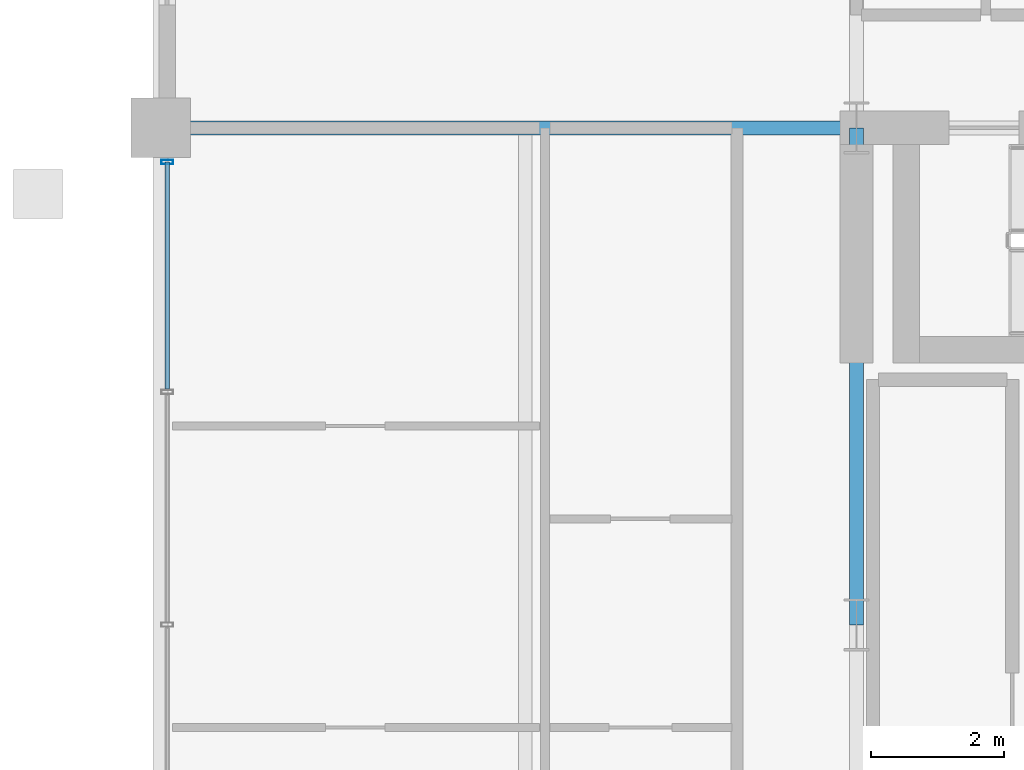
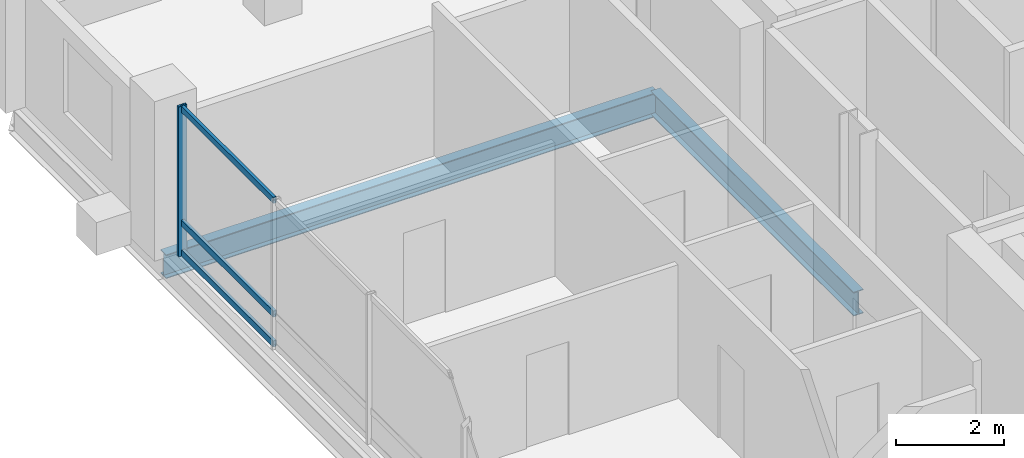
# One storey, part 8 of 21: 4 members, 2 beams, 1 element without a shape of its own.
"""IFC4 building model written with IfcOpenShell, lengths in metres."""

from ifc_helpers import new_model, si_unit, direction, frame, origin, origin_2d, place, context, subcontext, project, spatial, hollow_rectangle, i_section, extrude, material, layer, layer_set, material_profile, profile_set, type_object, element, aggregate, save


model = new_model("IFC4")

# Units and contexts
model_context = context("Model", 3, precision=1e-05, world=origin(), true_north=direction((0.0, 1.0)))
body_context = subcontext(model_context, "Body", "Model", "MODEL_VIEW")
ifc_project = project(units=[si_unit("LENGTHUNIT", "METRE"), si_unit("AREAUNIT", "SQUARE_METRE"), si_unit("VOLUMEUNIT", "CUBIC_METRE"), si_unit("PLANEANGLEUNIT", "RADIAN"), si_unit("MASSUNIT", "GRAM", prefix="KILO")], contexts=[model_context])

# Site, building, storey
site_placement = place(None, origin())
site = spatial("IfcSite", under=ifc_project, at=site_placement, CompositionType="ELEMENT")
building_placement = place(site_placement, origin())
building = spatial("IfcBuilding", under=site, at=building_placement, Name="Barlavira Tower and Art Museum", CompositionType="ELEMENT")
storey_placement = place(building_placement, frame((0.0, 0.0, 254.699951171875)))
storey = spatial("IfcBuildingStorey", under=building, at=storey_placement, Name="L66", CompositionType="ELEMENT", Elevation=254.699951171875)

# Curtain wall, members
ifc_material_1 = material(Name="Low-iron coastal laminated glass", Category="glass")
ifc_layer = layer(ifc_material_1, 0.2099609375, Name="Low-iron coastal laminated glass")
ifc_layer_set = layer_set([ifc_layer], Name="Low-iron coastal laminated glass")
curtain_wall_type = type_object("IfcCurtainWallType", Name="Pale-Metal Unitised Curtain Wall Zone 4", PredefinedType="NOTDEFINED", material=ifc_layer_set)
curtain_wall_placement = place(storey_placement, origin())
curtain_wall = element("IfcCurtainWall", 1, at=curtain_wall_placement, inside=storey, type_object=curtain_wall_type, Name="L66 Curtain Wall CW4-L66-W-B3", PredefinedType="NOTDEFINED")
ifc_material_2 = material(Name="Pale anodised aluminium", Category="aluminium")
ifc_material_profile_1 = material_profile(ifc_material_2, hollow_rectangle(XDim=0.06494140625, YDim=0.179931640625, WallThickness=0.00390625, at=origin_2d()), Name="ALU-MULL 65x180x4")
ifc_profile_set_1 = profile_set([ifc_material_profile_1], Name="Pale anodised aluminium")
member_type_1 = type_object("IfcMemberType", Name="Curtain Wall Pale-Metal Mullion 65x180", PredefinedType="MULLION", material=ifc_profile_set_1)
member_1_placement = place(storey_placement, frame((-16.89990234375, 6.985107421875, 0.0), z_axis=(0.0, 0.0, 1.0), x_axis=(0.0, -1.0, 0.0)))
member_1 = element("IfcMember", 2, at=member_1_placement, type_object=member_type_1, Name="CW4-L66-W-B3 Mullion 0", PredefinedType="MULLION", context=body_context, shape_type="SweptSolid", body=[
    extrude(hollow_rectangle(XDim=0.06494140625, YDim=0.179931640625, WallThickness=0.00390625, at=origin_2d()), origin(), (0.0, 0.0, 1.0), 3.380126953125),
])
ifc_material_profile_2 = material_profile(ifc_material_2, hollow_rectangle(XDim=0.06494140625, YDim=0.139892578125, WallThickness=0.00390625, at=origin_2d()), Name="ALU-TRAN 65x140x4")
ifc_profile_set_2 = profile_set([ifc_material_profile_2], Name="Pale anodised aluminium")
member_type_2 = type_object("IfcMemberType", Name="Curtain Wall Pale-Metal Transom 65x140", PredefinedType="USERDEFINED", material=ifc_profile_set_2)
member_2_placement = place(storey_placement, frame((-16.89990234375, 6.985107421875, 0.070068359375), z_axis=(0.0, -1.0, 0.0), x_axis=(1.0, 0.0, 0.0)))
member_2 = element("IfcMember", 3, at=member_2_placement, type_object=member_type_2, Name="CW4-L66-W-B3 Transom 0.1", ObjectType="TRANSOM", PredefinedType="USERDEFINED", context=body_context, shape_type="SweptSolid", body=[
    extrude(hollow_rectangle(XDim=0.06494140625, YDim=0.139892578125, WallThickness=0.00390625, at=origin_2d()), origin(), (0.0, 0.0, 1.0), 3.425048828125),
])
member_3_placement = place(storey_placement, frame((-16.89990234375, 6.985107421875, 0.744140625), z_axis=(0.0, -1.0, 0.0), x_axis=(1.0, 0.0, 0.0)))
member_3 = element("IfcMember", 4, at=member_3_placement, type_object=member_type_2, Name="CW4-L66-W-B3 Transom 0.2", ObjectType="TRANSOM", PredefinedType="USERDEFINED", context=body_context, shape_type="SweptSolid", body=[
    extrude(hollow_rectangle(XDim=0.06494140625, YDim=0.139892578125, WallThickness=0.00390625, at=origin_2d()), origin(), (0.0, 0.0, 1.0), 3.425048828125),
])
member_4_placement = place(storey_placement, frame((-16.89990234375, 6.985107421875, 3.31005859375), z_axis=(0.0, -1.0, 0.0), x_axis=(1.0, 0.0, 0.0)))
member_4 = element("IfcMember", 5, at=member_4_placement, type_object=member_type_2, Name="CW4-L66-W-B3 Transom 0.3", ObjectType="TRANSOM", PredefinedType="USERDEFINED", context=body_context, shape_type="SweptSolid", body=[
    extrude(hollow_rectangle(XDim=0.06494140625, YDim=0.139892578125, WallThickness=0.00390625, at=origin_2d()), origin(), (0.0, 0.0, 1.0), 3.425048828125),
])
aggregate(curtain_wall, [member_1, member_2, member_3, member_4])

# Beams
ifc_material_3 = material(Name="Steel S355", Category="steel")
ifc_material_profile_3 = material_profile(ifc_material_3, i_section(OverallWidth=0.2109375, OverallDepth=0.5390625, WebThickness=0.01171875, FlangeThickness=0.018798828125, at=origin_2d()), Name="W530x109.0")
ifc_profile_set_3 = profile_set([ifc_material_profile_3], Name="Steel S355")
beam_type = type_object("IfcBeamType", Name="Zone 3-4 Primary Floor Girder W530x109 Steel S355", PredefinedType="BEAM", material=ifc_profile_set_3)
beam_1_placement = place(storey_placement, frame((-6.5, 0.0, -0.489501953125), z_axis=(0.0, 1.0, 0.0), x_axis=(-1.0, 0.0, 0.0)))
element("IfcBeam", 6, at=beam_1_placement, inside=storey, type_object=beam_type, Name="L66 Girder C-W2", PredefinedType="BEAM", context=body_context, shape_type="SweptSolid", body=[
    extrude(i_section(OverallWidth=0.2109375, OverallDepth=0.5390625, WebThickness=0.01171875, FlangeThickness=0.018798828125, at=origin_2d()), origin(), (0.0, 0.0, 1.0), 7.5),
])
beam_2_placement = place(storey_placement, frame((-17.0, 7.5, -0.489501953125), z_axis=(1.0, 0.0, 0.0), x_axis=(0.0, 1.0, 0.0)))
element("IfcBeam", 7, at=beam_2_placement, inside=storey, type_object=beam_type, Name="L66 Girder R-W2", PredefinedType="BEAM", context=body_context, shape_type="SweptSolid", body=[
    extrude(i_section(OverallWidth=0.2109375, OverallDepth=0.5390625, WebThickness=0.01171875, FlangeThickness=0.018798828125, at=origin_2d()), origin(), (0.0, 0.0, 1.0), 10.5),
])

save(model, "model.ifc")
